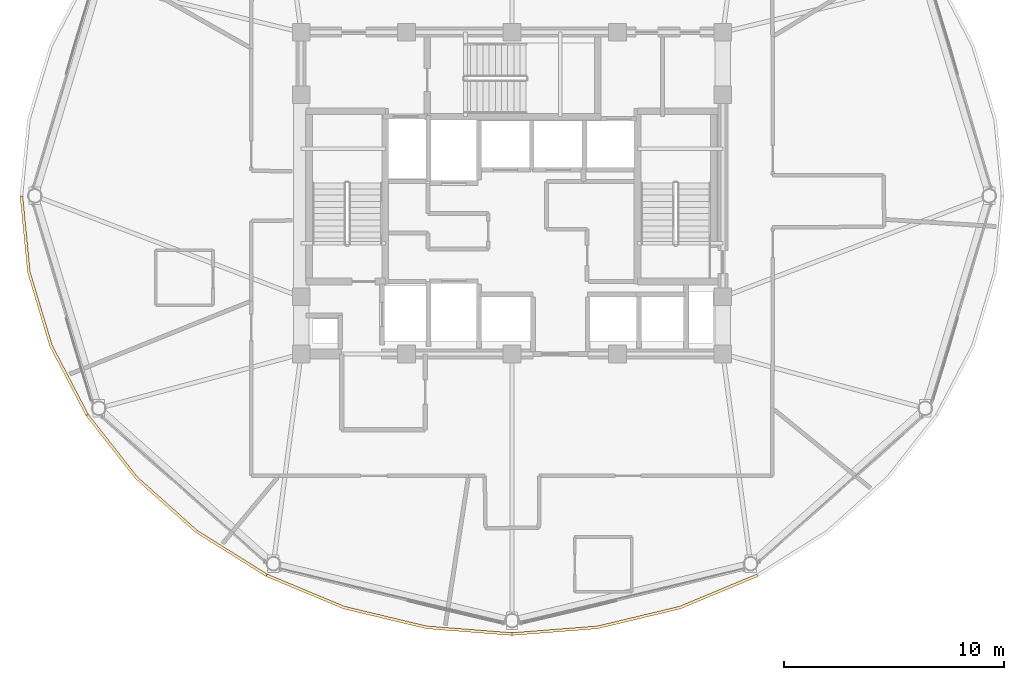
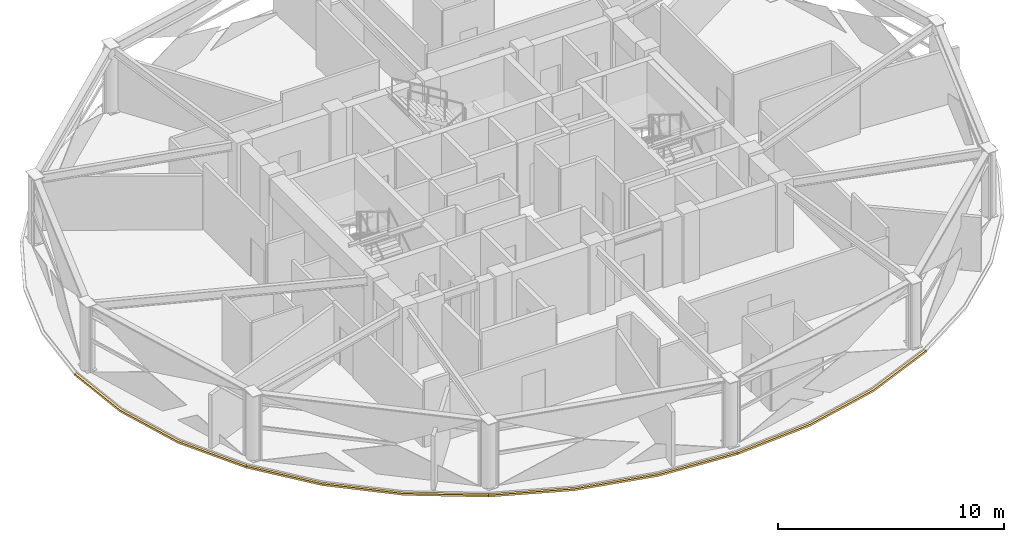
# One storey, part 25 of 28: 4 coverings.
"""IFC4 building model written with IfcOpenShell, lengths in metres."""

from ifc_helpers import new_model, si_unit, direction, frame, origin, place, context, subcontext, project, spatial, polyline, outline, extrude, material, layer, layer_set, type_object, element, save


model = new_model("IFC4")

# Units and contexts
model_context = context("Model", 3, precision=1e-05, world=origin(), true_north=direction((0.0, 1.0)))
body_context = subcontext(model_context, "Body", "Model", "MODEL_VIEW")
ifc_project = project(units=[si_unit("LENGTHUNIT", "METRE"), si_unit("AREAUNIT", "SQUARE_METRE"), si_unit("VOLUMEUNIT", "CUBIC_METRE"), si_unit("PLANEANGLEUNIT", "RADIAN"), si_unit("MASSUNIT", "GRAM", prefix="KILO")], contexts=[model_context])

# Site, building, storey
site_placement = place(None, origin())
site = spatial("IfcSite", under=ifc_project, at=site_placement, CompositionType="ELEMENT")
building_placement = place(site_placement, origin())
building = spatial("IfcBuilding", under=site, at=building_placement, Name="Vantalir Tower", CompositionType="ELEMENT")
storey_placement = place(building_placement, frame((0.0, 0.0, 246.14990234375)))
storey = spatial("IfcBuildingStorey", under=building, at=storey_placement, Name="L62", CompositionType="ELEMENT", Elevation=246.14990234375)

# Coverings
ifc_material = material(Name="Anodised champagne aluminium sill fascia", Category="aluminium")
ifc_layer = layer(ifc_material, 0.125)
ifc_layer_set = layer_set([ifc_layer], Name="Anodised champagne aluminium sill fascia")
covering_type = type_object("IfcCoveringType", Name="COV-SLAB-FASCIA-125", PredefinedType="CLADDING", material=ifc_layer_set)
covering_1_placement = place(storey_placement, frame((0.0, 0.0, -0.179931640625)))
element("IfcCovering", 1, at=covering_1_placement, inside=storey, type_object=covering_type, Name="L62 Perimeter Slab-Edge Sill Fascia 07", PredefinedType="CLADDING", context=body_context, shape_type="SweptSolid", body=[
    extrude(outline(polyline([(9.10693359375, 25.0), (9.447021484375, 21.52587890625), (10.45703125, 18.156982421875), (12.10693359375, 14.99609375), (12.215087890625, 15.05810546875), (10.574951171875, 18.199951171875), (9.570068359375, 21.547119140625), (9.23193359375, 25.0), (9.10693359375, 25.0)])), origin(), (0.0, 0.0, 1.0), 0.10498046875),
])
covering_2_placement = place(storey_placement, frame((0.0, 0.0, -0.179931640625)))
element("IfcCovering", 2, at=covering_2_placement, inside=storey, type_object=covering_type, Name="L62 Perimeter Slab-Edge Sill Fascia 08", PredefinedType="CLADDING", context=body_context, shape_type="SweptSolid", body=[
    extrude(outline(polyline([(12.10693359375, 14.99609375), (14.345947265625, 12.138916015625), (17.10595703125, 9.673095703125), (20.302978515625, 7.673095703125), (20.365966796875, 7.781005859375), (17.18603515625, 9.76904296875), (14.44189453125, 12.218994140625), (12.215087890625, 15.05810546875), (12.10693359375, 14.99609375)])), origin(), (0.0, 0.0, 1.0), 0.10498046875),
])
covering_3_placement = place(storey_placement, frame((0.0, 0.0, -0.179931640625)))
element("IfcCovering", 3, at=covering_3_placement, inside=storey, type_object=covering_type, Name="L62 Perimeter Slab-Edge Sill Fascia 09", PredefinedType="CLADDING", context=body_context, shape_type="SweptSolid", body=[
    extrude(outline(polyline([(20.302978515625, 7.673095703125), (23.841064453125, 6.198974609375), (27.611083984375, 5.2958984375), (31.5, 4.991943359375), (31.5, 5.116943359375), (27.633056640625, 5.4189453125), (23.884033203125, 6.31591796875), (20.365966796875, 7.781005859375), (20.302978515625, 7.673095703125)])), origin(), (0.0, 0.0, 1.0), 0.10498046875),
])
covering_4_placement = place(storey_placement, frame((0.0, 0.0, -0.179931640625)))
element("IfcCovering", 4, at=covering_4_placement, inside=storey, type_object=covering_type, Name="L62 Perimeter Slab-Edge Sill Fascia 10", PredefinedType="CLADDING", context=body_context, shape_type="SweptSolid", body=[
    extrude(outline(polyline([(31.5, 4.991943359375), (35.388916015625, 5.2958984375), (39.158935546875, 6.198974609375), (42.697021484375, 7.673095703125), (42.634033203125, 7.781005859375), (39.115966796875, 6.31591796875), (35.366943359375, 5.4189453125), (31.5, 5.116943359375), (31.5, 4.991943359375)])), origin(), (0.0, 0.0, 1.0), 0.10498046875),
])

save(model, "model.ifc")
